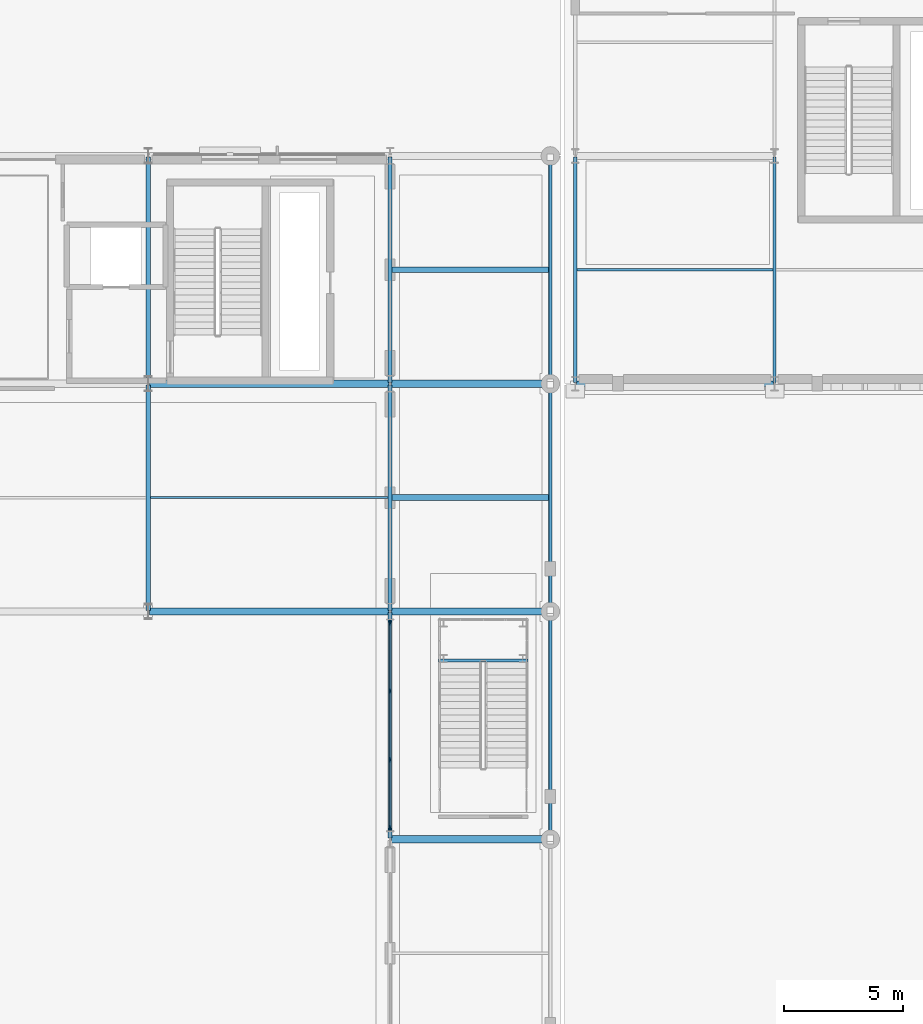
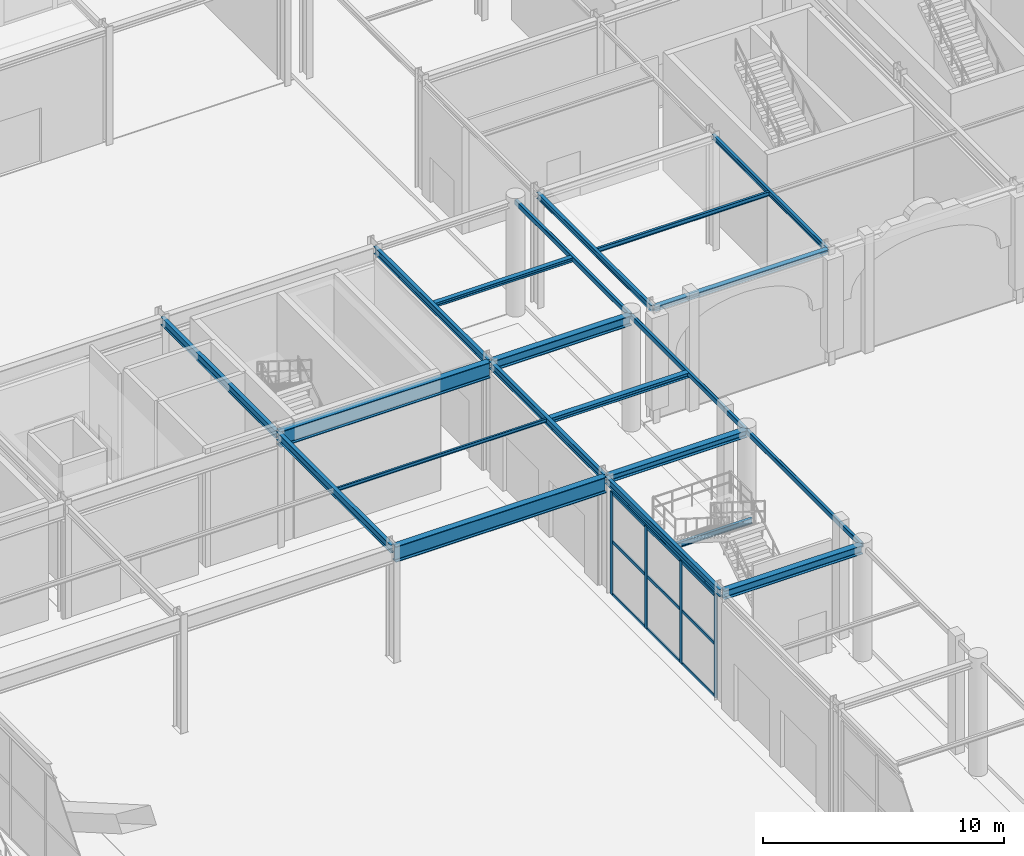
# One storey, part 42 of 113: 21 beams, 13 members, 1 element without a shape of its own.
"""IFC4 building model written with IfcOpenShell, lengths in metres."""

from ifc_helpers import new_model, si_unit, direction, frame, origin, origin_2d, place, context, subcontext, project, spatial, rectangle, hollow_rectangle, i_section, extrude, material, layer, layer_set, material_profile, profile_set, type_object, element, aggregate, save


model = new_model("IFC4")

# Units and contexts
model_context = context("Model", 3, precision=1e-05, world=origin(), true_north=direction((0.0, 1.0)))
body_context = subcontext(model_context, "Body", "Model", "MODEL_VIEW")
ifc_project = project(units=[si_unit("LENGTHUNIT", "METRE"), si_unit("AREAUNIT", "SQUARE_METRE"), si_unit("VOLUMEUNIT", "CUBIC_METRE"), si_unit("PLANEANGLEUNIT", "RADIAN"), si_unit("MASSUNIT", "GRAM", prefix="KILO")], contexts=[model_context])

# Site, building, storey
site_placement = place(None, origin())
site = spatial("IfcSite", under=ifc_project, at=site_placement, CompositionType="ELEMENT")
building_placement = place(site_placement, origin())
building = spatial("IfcBuilding", under=site, at=building_placement, Name="Myrtia Square Station", CompositionType="ELEMENT")
storey_placement = place(building_placement, origin())
storey = spatial("IfcBuildingStorey", under=building, at=storey_placement, Name="L00", CompositionType="ELEMENT", Elevation=0.0)

# Beams
ifc_material_1 = material(Name="Steel S355", Category="steel")
ifc_material_profile_1 = material_profile(ifc_material_1, i_section(OverallWidth=0.300048828125, OverallDepth=0.35009765625, WebThickness=0.010009765625, FlangeThickness=0.017578125, FilletRadius=0.027099609375, at=origin_2d()), Name="HEA 360")
ifc_profile_set_1 = profile_set([ifc_material_profile_1], Name="Steel S355")
beam_type_1 = type_object("IfcBeamType", Name="BM-HEA360", PredefinedType="BEAM", material=ifc_profile_set_1)
beam_1_placement = place(storey_placement, frame((109.85009765625, 76.800048828125, 5.56494140625), z_axis=(1.0, 0.0, 0.0), x_axis=(0.0, 1.0, 0.0)))
element("IfcBeam", 1, at=beam_1_placement, inside=storey, type_object=beam_type_1, Name="Structural girder BMX-L00-0286", PredefinedType="BEAM", context=body_context, shape_type="SweptSolid", body=[
    extrude(i_section(OverallWidth=0.300048828125, OverallDepth=0.35009765625, WebThickness=0.010009765625, FlangeThickness=0.017578125, FilletRadius=0.027099609375, at=origin_2d()), origin(), (0.0, 0.0, 1.0), 6.64990234375),
])
ifc_material_profile_2 = material_profile(ifc_material_1, i_section(OverallWidth=0.300048828125, OverallDepth=0.43994140625, WebThickness=0.011474609375, FlangeThickness=0.02099609375, FilletRadius=0.027099609375, at=origin_2d()), Name="HEA 450")
ifc_profile_set_2 = profile_set([ifc_material_profile_2], Name="Steel S355")
beam_type_2 = type_object("IfcBeamType", Name="BM-HEA450", PredefinedType="BEAM", material=ifc_profile_set_2)
beam_2_placement = place(storey_placement, frame((109.85009765625, 67.199951171875, 5.52001953125), z_axis=(1.0, 0.0, 0.0), x_axis=(0.0, 1.0, 0.0)))
element("IfcBeam", 2, at=beam_2_placement, inside=storey, type_object=beam_type_2, Name="Structural girder BMX-L00-0284", PredefinedType="BEAM", context=body_context, shape_type="SweptSolid", body=[
    extrude(i_section(OverallWidth=0.300048828125, OverallDepth=0.43994140625, WebThickness=0.011474609375, FlangeThickness=0.02099609375, FilletRadius=0.027099609375, at=origin_2d()), origin(), (0.0, 0.0, 1.0), 6.64990234375),
])
ifc_material_profile_3 = material_profile(ifc_material_1, i_section(OverallWidth=0.300048828125, OverallDepth=0.5, WebThickness=0.014404296875, FlangeThickness=0.028076171875, FilletRadius=0.027099609375, at=origin_2d()), Name="HEB 500")
ifc_profile_set_3 = profile_set([ifc_material_profile_3], Name="Steel S355")
beam_type_3 = type_object("IfcBeamType", Name="BM-HEB500", PredefinedType="BEAM", material=ifc_profile_set_3)
beam_3_placement = place(storey_placement, frame((109.85009765625, 86.39990234375, 5.489990234375), z_axis=(1.0, 0.0, 0.0), x_axis=(0.0, 1.0, 0.0)))
element("IfcBeam", 3, at=beam_3_placement, inside=storey, type_object=beam_type_3, Name="Structural girder BMX-L00-0288", PredefinedType="BEAM", context=body_context, shape_type="SweptSolid", body=[
    extrude(i_section(OverallWidth=0.300048828125, OverallDepth=0.5, WebThickness=0.014404296875, FlangeThickness=0.028076171875, FilletRadius=0.027099609375, at=origin_2d()), origin(), (0.0, 0.0, 1.0), 6.64990234375),
])
ifc_material_profile_4 = material_profile(ifc_material_1, i_section(OverallWidth=0.135009765625, OverallDepth=0.27001953125, WebThickness=0.006591796875, FlangeThickness=0.01025390625, FilletRadius=0.014892578125, at=origin_2d()), Name="IPE 270")
ifc_profile_set_4 = profile_set([ifc_material_profile_4], Name="Steel S355")
beam_type_4 = type_object("IfcBeamType", Name="BM-IPE270", PredefinedType="BEAM", material=ifc_profile_set_4)
beam_4_placement = place(storey_placement, frame((126.0, 86.449951171875, 5.614990234375), z_axis=(0.0, 1.0, 0.0), x_axis=(-1.0, 0.0, 0.0)))
element("IfcBeam", 4, at=beam_4_placement, inside=storey, type_object=beam_type_4, Name="Structural girder BMY-L00-0429", PredefinedType="BEAM", context=body_context, shape_type="SweptSolid", body=[
    extrude(i_section(OverallWidth=0.135009765625, OverallDepth=0.27001953125, WebThickness=0.006591796875, FlangeThickness=0.01025390625, FilletRadius=0.014892578125, at=origin_2d()), origin(), (0.0, 0.0, 1.0), 9.5),
])
beam_5_placement = place(storey_placement, frame((111.840087890625, 74.739990234375, 2.6650390625), z_axis=(1.0, 0.0, 0.0), x_axis=(0.0, 1.0, 0.0)))
element("IfcBeam", 5, at=beam_5_placement, inside=storey, type_object=beam_type_4, Name="Interchange stair landing bearer 6", PredefinedType="BEAM", context=body_context, shape_type="SweptSolid", body=[
    extrude(i_section(OverallWidth=0.135009765625, OverallDepth=0.27001953125, WebThickness=0.006591796875, FlangeThickness=0.01025390625, FilletRadius=0.014892578125, at=origin_2d()), origin(), (0.0, 0.0, 1.0), 3.760009765625),
])
ifc_material_profile_5 = material_profile(ifc_material_1, i_section(OverallWidth=0.14990234375, OverallDepth=0.300048828125, WebThickness=0.007080078125, FlangeThickness=0.0107421875, FilletRadius=0.014892578125, at=origin_2d()), Name="IPE 300")
ifc_profile_set_5 = profile_set([ifc_material_profile_5], Name="Steel S355")
beam_type_5 = type_object("IfcBeamType", Name="BM-IPE300", PredefinedType="BEAM", material=ifc_profile_set_5)
beam_6_placement = place(storey_placement, frame((117.60009765625, 86.449951171875, 5.60009765625), z_axis=(0.0, 1.0, 0.0), x_axis=(-1.0, 0.0, 0.0)))
element("IfcBeam", 6, at=beam_6_placement, inside=storey, type_object=beam_type_5, Name="Structural girder BMY-L00-0425", PredefinedType="BEAM", context=body_context, shape_type="SweptSolid", body=[
    extrude(i_section(OverallWidth=0.14990234375, OverallDepth=0.300048828125, WebThickness=0.007080078125, FlangeThickness=0.0107421875, FilletRadius=0.014892578125, at=origin_2d()), origin(), (0.0, 0.0, 1.0), 9.5),
])
ifc_material_profile_6 = material_profile(ifc_material_1, i_section(OverallWidth=0.169921875, OverallDepth=0.360107421875, WebThickness=0.008056640625, FlangeThickness=0.0126953125, FilletRadius=0.01806640625, at=origin_2d()), Name="IPE 360")
ifc_profile_set_6 = profile_set([ifc_material_profile_6], Name="Steel S355")
beam_type_6 = type_object("IfcBeamType", Name="BM-IPE360", PredefinedType="BEAM", material=ifc_profile_set_6)
for number, where, z_axis, x_axis, name in (
    (7, (109.800048828125, 67.25, 5.56005859375), (0.0, 1.0, 0.0), (-1.0, 0.0, 0.0), "Structural girder BMY-L00-0315"),
    (8, (109.800048828125, 76.85009765625, 5.56005859375), (0.0, 1.0, 0.0), (-1.0, 0.0, 0.0), "Structural girder BMY-L00-0316"),
    (9, (109.800048828125, 86.449951171875, 5.56005859375), (0.0, 1.0, 0.0), (-1.0, 0.0, 0.0), "Structural girder BMY-L00-0317"),
):
    element("IfcBeam", number, at=place(storey_placement, frame(where, z_axis=z_axis, x_axis=x_axis)), inside=storey, type_object=beam_type_6, Name=name, PredefinedType="BEAM", context=body_context, shape_type="SweptSolid", body=[
        extrude(i_section(OverallWidth=0.169921875, OverallDepth=0.360107421875, WebThickness=0.008056640625, FlangeThickness=0.0126953125, FilletRadius=0.01806640625, at=origin_2d()), origin(), (0.0, 0.0, 1.0), 9.5),
    ])
ifc_material_profile_7 = material_profile(ifc_material_1, i_section(OverallWidth=0.179931640625, OverallDepth=0.39990234375, WebThickness=0.008544921875, FlangeThickness=0.013427734375, FilletRadius=0.02099609375, at=origin_2d()), Name="IPE 400")
ifc_profile_set_7 = profile_set([ifc_material_profile_7], Name="Steel S355")
beam_type_7 = type_object("IfcBeamType", Name="BM-IPE400", PredefinedType="BEAM", material=ifc_profile_set_7)
for number, where, z_axis, x_axis, name in (
    (10, (99.60009765625, 76.85009765625, 5.5400390625), (0.0, 1.0, 0.0), (-1.0, 0.0, 0.0), "Structural girder BMY-L00-0309"),
    (11, (99.60009765625, 86.449951171875, 5.5400390625), (0.0, 1.0, 0.0), (-1.0, 0.0, 0.0), "Structural girder BMY-L00-0310"),
):
    element("IfcBeam", number, at=place(storey_placement, frame(where, z_axis=z_axis, x_axis=x_axis)), inside=storey, type_object=beam_type_7, Name=name, PredefinedType="BEAM", context=body_context, shape_type="SweptSolid", body=[
        extrude(i_section(OverallWidth=0.179931640625, OverallDepth=0.39990234375, WebThickness=0.008544921875, FlangeThickness=0.013427734375, FilletRadius=0.02099609375, at=origin_2d()), origin(), (0.0, 0.0, 1.0), 9.5),
    ])

# Curtain wall, members
ifc_material_2 = material(Name="Dark bronze anodised aluminium", Category="aluminium")
ifc_layer = layer(ifc_material_2, 0.159912109375, Name="Dark bronze anodised aluminium")
ifc_layer_set = layer_set([ifc_layer], Name="Dark bronze anodised aluminium")
curtain_wall_type = type_object("IfcCurtainWallType", Name="CW-TYPE-02-870x519", PredefinedType="USERDEFINED", material=ifc_layer_set)
curtain_wall_placement = place(storey_placement, origin())
curtain_wall = element("IfcCurtainWall", 12, at=curtain_wall_placement, inside=storey, type_object=curtain_wall_type, Name="Concourse curtain wall CW-L00-004", ObjectType="CONCOURSE CURTAIN WALL", PredefinedType="USERDEFINED")
ifc_material_profile_8 = material_profile(ifc_material_2, rectangle(XDim=0.06494140625, YDim=0.199951171875, at=origin_2d()), Name="ALU-M 65x200")
ifc_profile_set_8 = profile_set([ifc_material_profile_8], Name="Dark bronze anodised aluminium")
member_type_1 = type_object("IfcMemberType", Name="CWM-65x200", PredefinedType="MULLION", material=ifc_profile_set_8)
member_1_placement = place(storey_placement, frame((109.800048828125, 67.6826171875, 0.0), z_axis=(0.0, 0.0, 1.0), x_axis=(-1.0, 0.0, 0.0)))
member_1 = element("IfcMember", 13, at=member_1_placement, type_object=member_type_1, Name="CW-004 mullion 1", PredefinedType="MULLION", context=body_context, shape_type="SweptSolid", body=[
    extrude(rectangle(XDim=0.06494140625, YDim=0.199951171875, at=origin_2d()), origin(), (0.0, 0.0, 1.0), 5.18994140625),
])
member_2_placement = place(storey_placement, frame((109.800048828125, 70.550048828125, 0.0), z_axis=(0.0, 0.0, 1.0), x_axis=(-1.0, 0.0, 0.0)))
member_2 = element("IfcMember", 14, at=member_2_placement, type_object=member_type_1, Name="CW-004 mullion 2", PredefinedType="MULLION", context=body_context, shape_type="SweptSolid", body=[
    extrude(rectangle(XDim=0.06494140625, YDim=0.199951171875, at=origin_2d()), origin(), (0.0, 0.0, 1.0), 5.18994140625),
])
member_3_placement = place(storey_placement, frame((109.800048828125, 73.449951171875, 0.0), z_axis=(0.0, 0.0, 1.0), x_axis=(-1.0, 0.0, 0.0)))
member_3 = element("IfcMember", 15, at=member_3_placement, type_object=member_type_1, Name="CW-004 mullion 3", PredefinedType="MULLION", context=body_context, shape_type="SweptSolid", body=[
    extrude(rectangle(XDim=0.06494140625, YDim=0.199951171875, at=origin_2d()), origin(), (0.0, 0.0, 1.0), 5.18994140625),
])
member_4_placement = place(storey_placement, frame((109.800048828125, 76.3173828125, 0.0), z_axis=(0.0, 0.0, 1.0), x_axis=(-1.0, 0.0, 0.0)))
member_4 = element("IfcMember", 16, at=member_4_placement, type_object=member_type_1, Name="CW-004 mullion 4", PredefinedType="MULLION", context=body_context, shape_type="SweptSolid", body=[
    extrude(rectangle(XDim=0.06494140625, YDim=0.199951171875, at=origin_2d()), origin(), (0.0, 0.0, 1.0), 5.18994140625),
])
ifc_material_profile_9 = material_profile(ifc_material_2, rectangle(XDim=0.06494140625, YDim=0.14990234375, at=origin_2d()), Name="ALU-T 65x150")
ifc_profile_set_9 = profile_set([ifc_material_profile_9], Name="Dark bronze anodised aluminium")
member_type_2 = type_object("IfcMemberType", Name="CWT-65x150", PredefinedType="USERDEFINED", material=ifc_profile_set_9)
member_5_placement = place(storey_placement, frame((109.800048828125, 67.715087890625, 0.032470703125), z_axis=(0.0, 1.0, 0.0), x_axis=(-1.0, 0.0, 0.0)))
member_5 = element("IfcMember", 17, at=member_5_placement, type_object=member_type_2, Name="CW-004 transom 1.1", ObjectType="TRANSOM", PredefinedType="USERDEFINED", context=body_context, shape_type="SweptSolid", body=[
    extrude(rectangle(XDim=0.06494140625, YDim=0.14990234375, at=origin_2d()), origin(), (0.0, 0.0, 1.0), 2.802490234375),
])
member_6_placement = place(storey_placement, frame((109.800048828125, 67.715087890625, 2.698974609375), z_axis=(0.0, 1.0, 0.0), x_axis=(-1.0, 0.0, 0.0)))
member_6 = element("IfcMember", 18, at=member_6_placement, type_object=member_type_2, Name="CW-004 transom 1.2", ObjectType="TRANSOM", PredefinedType="USERDEFINED", context=body_context, shape_type="SweptSolid", body=[
    extrude(rectangle(XDim=0.06494140625, YDim=0.14990234375, at=origin_2d()), origin(), (0.0, 0.0, 1.0), 2.802490234375),
])
member_7_placement = place(storey_placement, frame((109.800048828125, 67.715087890625, 5.157470703125), z_axis=(0.0, 1.0, 0.0), x_axis=(-1.0, 0.0, 0.0)))
member_7 = element("IfcMember", 19, at=member_7_placement, type_object=member_type_2, Name="CW-004 transom 1.3", ObjectType="TRANSOM", PredefinedType="USERDEFINED", context=body_context, shape_type="SweptSolid", body=[
    extrude(rectangle(XDim=0.06494140625, YDim=0.14990234375, at=origin_2d()), origin(), (0.0, 0.0, 1.0), 2.802490234375),
])
member_8_placement = place(storey_placement, frame((109.800048828125, 70.58251953125, 0.032470703125), z_axis=(0.0, 1.0, 0.0), x_axis=(-1.0, 0.0, 0.0)))
member_8 = element("IfcMember", 20, at=member_8_placement, type_object=member_type_2, Name="CW-004 transom 2.1", ObjectType="TRANSOM", PredefinedType="USERDEFINED", context=body_context, shape_type="SweptSolid", body=[
    extrude(rectangle(XDim=0.06494140625, YDim=0.14990234375, at=origin_2d()), origin(), (0.0, 0.0, 1.0), 2.8349609375),
])
member_9_placement = place(storey_placement, frame((109.800048828125, 70.58251953125, 2.698974609375), z_axis=(0.0, 1.0, 0.0), x_axis=(-1.0, 0.0, 0.0)))
member_9 = element("IfcMember", 21, at=member_9_placement, type_object=member_type_2, Name="CW-004 transom 2.2", ObjectType="TRANSOM", PredefinedType="USERDEFINED", context=body_context, shape_type="SweptSolid", body=[
    extrude(rectangle(XDim=0.06494140625, YDim=0.14990234375, at=origin_2d()), origin(), (0.0, 0.0, 1.0), 2.8349609375),
])
member_10_placement = place(storey_placement, frame((109.800048828125, 70.58251953125, 5.157470703125), z_axis=(0.0, 1.0, 0.0), x_axis=(-1.0, 0.0, 0.0)))
member_10 = element("IfcMember", 22, at=member_10_placement, type_object=member_type_2, Name="CW-004 transom 2.3", ObjectType="TRANSOM", PredefinedType="USERDEFINED", context=body_context, shape_type="SweptSolid", body=[
    extrude(rectangle(XDim=0.06494140625, YDim=0.14990234375, at=origin_2d()), origin(), (0.0, 0.0, 1.0), 2.8349609375),
])
member_11_placement = place(storey_placement, frame((109.800048828125, 73.482421875, 0.032470703125), z_axis=(0.0, 1.0, 0.0), x_axis=(-1.0, 0.0, 0.0)))
member_11 = element("IfcMember", 23, at=member_11_placement, type_object=member_type_2, Name="CW-004 transom 3.1", ObjectType="TRANSOM", PredefinedType="USERDEFINED", context=body_context, shape_type="SweptSolid", body=[
    extrude(rectangle(XDim=0.06494140625, YDim=0.14990234375, at=origin_2d()), origin(), (0.0, 0.0, 1.0), 2.802490234375),
])
member_12_placement = place(storey_placement, frame((109.800048828125, 73.482421875, 2.698974609375), z_axis=(0.0, 1.0, 0.0), x_axis=(-1.0, 0.0, 0.0)))
member_12 = element("IfcMember", 24, at=member_12_placement, type_object=member_type_2, Name="CW-004 transom 3.2", ObjectType="TRANSOM", PredefinedType="USERDEFINED", context=body_context, shape_type="SweptSolid", body=[
    extrude(rectangle(XDim=0.06494140625, YDim=0.14990234375, at=origin_2d()), origin(), (0.0, 0.0, 1.0), 2.802490234375),
])
member_13_placement = place(storey_placement, frame((109.800048828125, 73.482421875, 5.157470703125), z_axis=(0.0, 1.0, 0.0), x_axis=(-1.0, 0.0, 0.0)))
member_13 = element("IfcMember", 25, at=member_13_placement, type_object=member_type_2, Name="CW-004 transom 3.3", ObjectType="TRANSOM", PredefinedType="USERDEFINED", context=body_context, shape_type="SweptSolid", body=[
    extrude(rectangle(XDim=0.06494140625, YDim=0.14990234375, at=origin_2d()), origin(), (0.0, 0.0, 1.0), 2.802490234375),
])
aggregate(curtain_wall, [member_1, member_2, member_3, member_4, member_5, member_6, member_7, member_8, member_9, member_10, member_11, member_12, member_13])

# Beams
ifc_material_profile_10 = material_profile(ifc_material_1, i_section(OverallWidth=0.219970703125, OverallDepth=0.2099609375, WebThickness=0.007080078125, FlangeThickness=0.010986328125, FilletRadius=0.01806640625, at=origin_2d()), Name="HEA 220")
ifc_profile_set_10 = profile_set([ifc_material_profile_10], Name="Steel S355")
beam_type_8 = type_object("IfcBeamType", Name="JST-HEA220", PredefinedType="JOIST", material=ifc_profile_set_10)
beam_7_placement = place(storey_placement, frame((109.885009765625, 91.199951171875, 5.635009765625), z_axis=(1.0, 0.0, 0.0), x_axis=(0.0, 1.0, 0.0)))
element("IfcBeam", 26, at=beam_7_placement, inside=storey, type_object=beam_type_8, Name="Composite floor joist L00-0027", PredefinedType="JOIST", context=body_context, shape_type="SweptSolid", body=[
    extrude(i_section(OverallWidth=0.219970703125, OverallDepth=0.2099609375, WebThickness=0.007080078125, FlangeThickness=0.010986328125, FilletRadius=0.01806640625, at=origin_2d()), origin(), (0.0, 0.0, 1.0), 6.590087890625),
])
ifc_material_profile_11 = material_profile(ifc_material_1, i_section(OverallWidth=0.260009765625, OverallDepth=0.25, WebThickness=0.007568359375, FlangeThickness=0.012451171875, FilletRadius=0.02392578125, at=origin_2d()), Name="HEA 260")
ifc_profile_set_11 = profile_set([ifc_material_profile_11], Name="Steel S355")
beam_type_9 = type_object("IfcBeamType", Name="JST-HEA260", PredefinedType="JOIST", material=ifc_profile_set_11)
beam_8_placement = place(storey_placement, frame((109.885009765625, 81.60009765625, 5.614990234375), z_axis=(1.0, 0.0, 0.0), x_axis=(0.0, 1.0, 0.0)))
element("IfcBeam", 27, at=beam_8_placement, inside=storey, type_object=beam_type_9, Name="Composite floor joist L00-0026", PredefinedType="JOIST", context=body_context, shape_type="SweptSolid", body=[
    extrude(i_section(OverallWidth=0.260009765625, OverallDepth=0.25, WebThickness=0.007568359375, FlangeThickness=0.012451171875, FilletRadius=0.02392578125, at=origin_2d()), origin(), (0.0, 0.0, 1.0), 6.590087890625),
])
ifc_material_profile_12 = material_profile(ifc_material_1, i_section(OverallWidth=0.091064453125, OverallDepth=0.179931640625, WebThickness=0.00537109375, FlangeThickness=0.008056640625, FilletRadius=0.009033203125, at=origin_2d()), Name="IPE 180")
ifc_profile_set_12 = profile_set([ifc_material_profile_12], Name="Steel S355")
beam_type_10 = type_object("IfcBeamType", Name="JST-IPE180", PredefinedType="JOIST", material=ifc_profile_set_12)
beam_9_placement = place(storey_placement, frame((99.68994140625, 81.60009765625, 5.64990234375), z_axis=(1.0, 0.0, 0.0), x_axis=(0.0, 1.0, 0.0)))
element("IfcBeam", 28, at=beam_9_placement, inside=storey, type_object=beam_type_10, Name="Composite floor joist L00-0021", PredefinedType="JOIST", context=body_context, shape_type="SweptSolid", body=[
    extrude(i_section(OverallWidth=0.091064453125, OverallDepth=0.179931640625, WebThickness=0.00537109375, FlangeThickness=0.008056640625, FilletRadius=0.009033203125, at=origin_2d()), origin(), (0.0, 0.0, 1.0), 10.025146484375),
])
ifc_material_profile_13 = material_profile(ifc_material_1, i_section(OverallWidth=0.110107421875, OverallDepth=0.219970703125, WebThickness=0.005859375, FlangeThickness=0.00927734375, FilletRadius=0.011962890625, at=origin_2d()), Name="IPE 220")
ifc_profile_set_13 = profile_set([ifc_material_profile_13], Name="Steel S355")
beam_type_11 = type_object("IfcBeamType", Name="JST-IPE220", PredefinedType="JOIST", material=ifc_profile_set_13)
beam_10_placement = place(storey_placement, frame((117.675048828125, 91.199951171875, 5.639892578125), z_axis=(1.0, 0.0, 0.0), x_axis=(0.0, 1.0, 0.0)))
element("IfcBeam", 29, at=beam_10_placement, inside=storey, type_object=beam_type_11, Name="Composite floor joist L00-0069", PredefinedType="JOIST", context=body_context, shape_type="SweptSolid", body=[
    extrude(i_section(OverallWidth=0.110107421875, OverallDepth=0.219970703125, WebThickness=0.005859375, FlangeThickness=0.00927734375, FilletRadius=0.011962890625, at=origin_2d()), origin(), (0.0, 0.0, 1.0), 8.257568359375),
])
ifc_material_profile_14 = material_profile(ifc_material_1, i_section(OverallWidth=0.239990234375, OverallDepth=0.239990234375, WebThickness=0.010009765625, FlangeThickness=0.01708984375, FilletRadius=0.02099609375, at=origin_2d()), Name="HEB 240")
ifc_profile_set_14 = profile_set([ifc_material_profile_14], Name="Steel S355")
beam_type_12 = type_object("IfcBeamType", Name="SPN-HEB240", PredefinedType="SPANDREL", material=ifc_profile_set_14)
beam_11_placement = place(storey_placement, frame((117.64990234375, 86.39990234375, 5.6298828125), z_axis=(1.0, 0.0, 0.0), x_axis=(0.0, 1.0, 0.0)))
element("IfcBeam", 30, at=beam_11_placement, inside=storey, type_object=beam_type_12, Name="Structural girder SPN-L00-0117", PredefinedType="SPANDREL", context=body_context, shape_type="SweptSolid", body=[
    extrude(i_section(OverallWidth=0.239990234375, OverallDepth=0.239990234375, WebThickness=0.010009765625, FlangeThickness=0.01708984375, FilletRadius=0.02099609375, at=origin_2d()), origin(), (0.0, 0.0, 1.0), 8.300048828125),
])
ifc_material_profile_15 = material_profile(ifc_material_1, hollow_rectangle(XDim=0.14990234375, YDim=0.25, WallThickness=0.012451171875, InnerFilletRadius=0.012451171875, OuterFilletRadius=0.02490234375, at=origin_2d()), Name="RHS 250x150x12.5")
ifc_profile_set_15 = profile_set([ifc_material_profile_15], Name="Steel S355")
beam_type_13 = type_object("IfcBeamType", Name="SPN-RHS250", PredefinedType="SPANDREL", material=ifc_profile_set_15)
for number, where, z_axis, x_axis, name in (
    (31, (116.550048828125, 67.25, 5.614990234375), (0.0, 1.0, 0.0), (-1.0, 0.0, 0.0), "Structural girder SPNY-L00-0084"),
    (32, (116.550048828125, 76.85009765625, 5.614990234375), (0.0, 1.0, 0.0), (-1.0, 0.0, 0.0), "Structural girder SPNY-L00-0085"),
    (33, (116.550048828125, 86.449951171875, 5.614990234375), (0.0, 1.0, 0.0), (-1.0, 0.0, 0.0), "Structural girder SPNY-L00-0086"),
):
    element("IfcBeam", number, at=place(storey_placement, frame(where, z_axis=z_axis, x_axis=x_axis)), inside=storey, type_object=beam_type_13, Name=name, PredefinedType="SPANDREL", context=body_context, shape_type="SweptSolid", body=[
        extrude(hollow_rectangle(XDim=0.14990234375, YDim=0.25, WallThickness=0.012451171875, InnerFilletRadius=0.012451171875, OuterFilletRadius=0.02490234375, at=origin_2d()), origin(), (0.0, 0.0, 1.0), 9.5),
    ])
ifc_material_profile_16 = material_profile(ifc_material_1, i_section(OverallWidth=0.300048828125, OverallDepth=0.800048828125, WebThickness=0.017578125, FlangeThickness=0.032958984375, FilletRadius=0.030029296875, at=origin_2d()), Name="HEB 800")
ifc_profile_set_16 = profile_set([ifc_material_profile_16], Name="Steel S355")
beam_type_14 = type_object("IfcBeamType", Name="TG-HEB800", PredefinedType="USERDEFINED", material=ifc_profile_set_16)
for number, where, z_axis, x_axis, name in (
    (34, (99.64990234375, 76.800048828125, 5.340087890625), (1.0, 0.0, 0.0), (0.0, 1.0, 0.0), "Structural girder TG-L00-0091"),
    (35, (99.64990234375, 86.39990234375, 5.340087890625), (1.0, 0.0, 0.0), (0.0, 1.0, 0.0), "Structural girder TG-L00-0094"),
):
    element("IfcBeam", number, at=place(storey_placement, frame(where, z_axis=z_axis, x_axis=x_axis)), inside=storey, type_object=beam_type_14, Name=name, ObjectType="TRANSFER GIRDER", PredefinedType="USERDEFINED", context=body_context, shape_type="SweptSolid", body=[
        extrude(i_section(OverallWidth=0.300048828125, OverallDepth=0.800048828125, WebThickness=0.017578125, FlangeThickness=0.032958984375, FilletRadius=0.030029296875, at=origin_2d()), origin(), (0.0, 0.0, 1.0), 10.10009765625),
    ])

save(model, "model.ifc")
